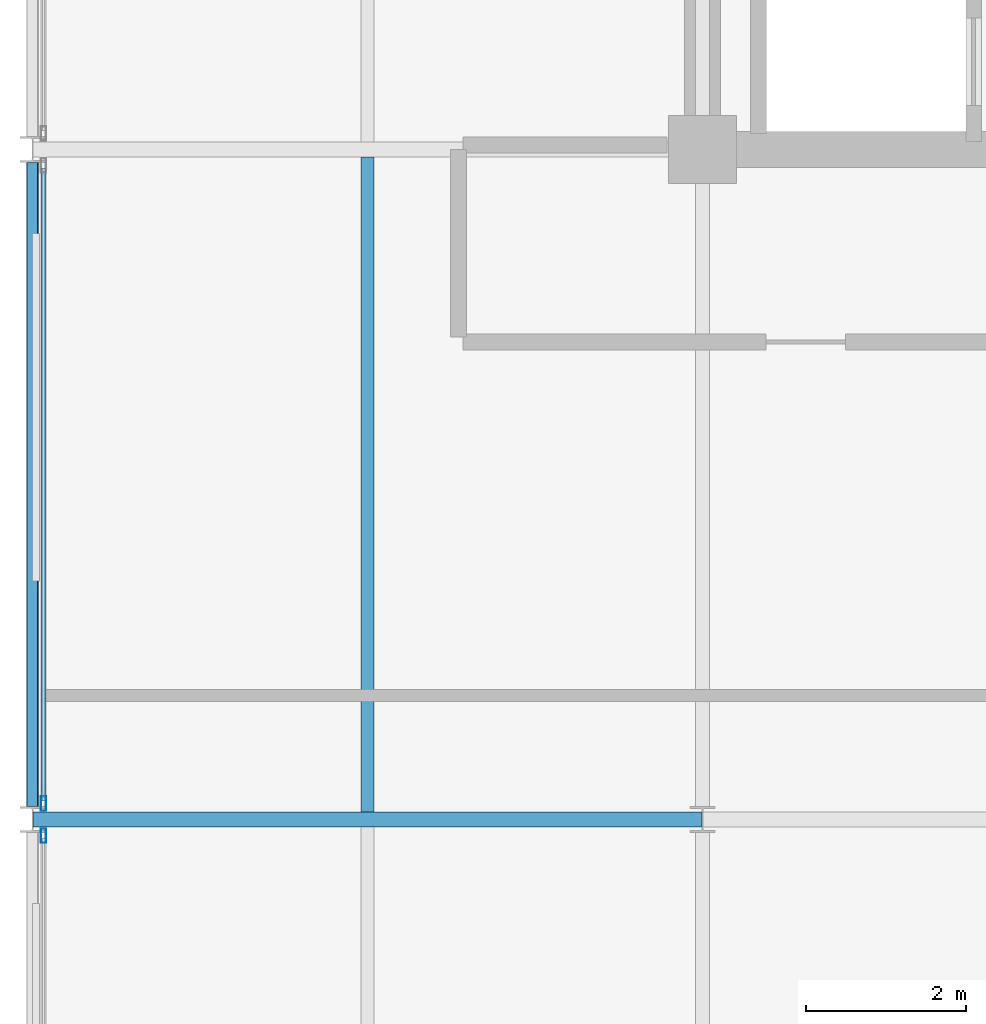
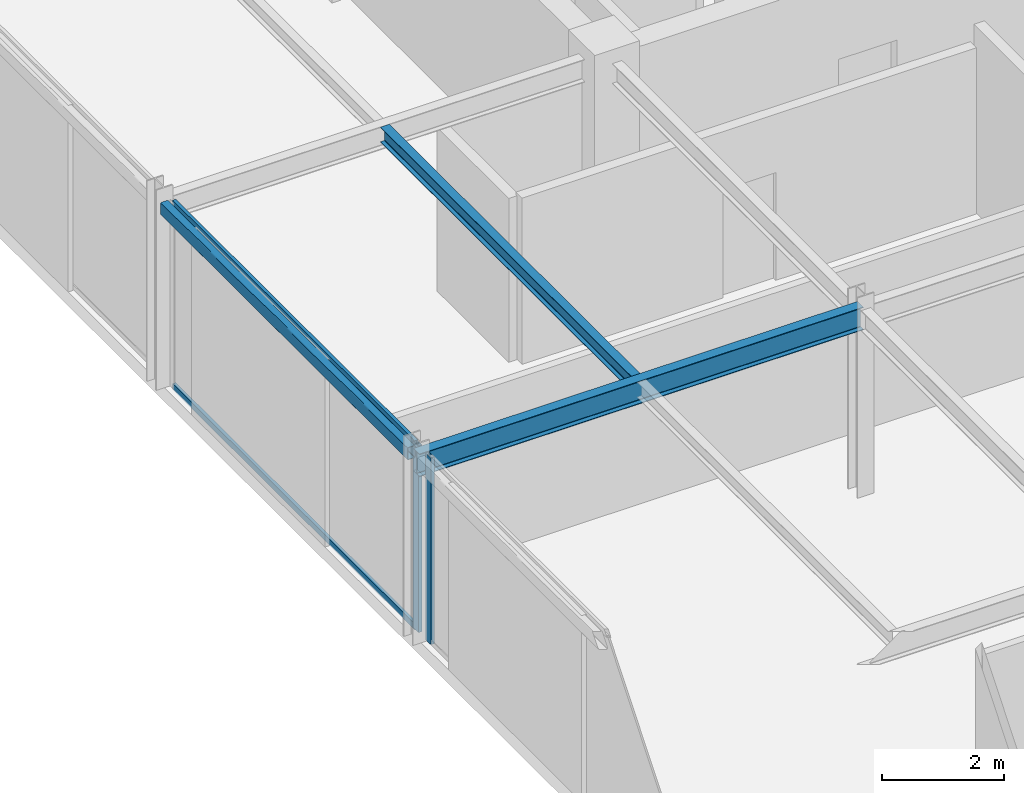
# One storey, part 9 of 26: 4 members, 3 beams, 2 elements without a shape of their own.
"""IFC4 building model written with IfcOpenShell, lengths in metres."""

from ifc_helpers import new_model, si_unit, direction, frame, origin, origin_2d, place, context, subcontext, project, spatial, hollow_rectangle, i_section, extrude, material, layer, layer_set, material_profile, profile_set, type_object, element, aggregate, save


model = new_model("IFC4")

# Units and contexts
model_context = context("Model", 3, precision=1e-05, world=origin(), true_north=direction((0.0, 1.0)))
body_context = subcontext(model_context, "Body", "Model", "MODEL_VIEW")
ifc_project = project(units=[si_unit("LENGTHUNIT", "METRE"), si_unit("AREAUNIT", "SQUARE_METRE"), si_unit("VOLUMEUNIT", "CUBIC_METRE"), si_unit("PLANEANGLEUNIT", "RADIAN"), si_unit("MASSUNIT", "GRAM", prefix="KILO")], contexts=[model_context])

# Site, building, storey
site_placement = place(None, origin())
site = spatial("IfcSite", under=ifc_project, at=site_placement, CompositionType="ELEMENT")
building_placement = place(site_placement, origin())
building = spatial("IfcBuilding", under=site, at=building_placement, Name="Nerrivon Quay Data Exchange", CompositionType="ELEMENT")
storey_placement = place(building_placement, frame((0.0, 0.0, 250.199951171875)))
storey = spatial("IfcBuildingStorey", under=building, at=storey_placement, Name="L59", CompositionType="ELEMENT", Elevation=250.199951171875)

# Beams
ifc_material_1 = material(Name="Steel Grade 350", Category="steel")
ifc_material_profile_1 = material_profile(ifc_material_1, i_section(OverallWidth=0.18994140625, OverallDepth=0.4541015625, WebThickness=0.008544921875, FlangeThickness=0.0126953125, FilletRadius=0.011474609375, at=origin_2d()), Name="460UB67.1")
ifc_profile_set_1 = profile_set([ifc_material_profile_1], Name="Steel Grade 350")
beam_type_1 = type_object("IfcBeamType", Name="BM-G6-460UB67", PredefinedType="BEAM", material=ifc_profile_set_1)
beam_1_placement = place(storey_placement, frame((0.0078125, 16.800048828125, 3.498046875), z_axis=(1.0, 0.0, 0.0), x_axis=(0.0, 1.0, 0.0)))
element("IfcBeam", 1, at=beam_1_placement, inside=storey, type_object=beam_type_1, Name="L59 EW Girder Y=16.8 (0.0..8.4)", PredefinedType="BEAM", context=body_context, shape_type="SweptSolid", body=[
    extrude(i_section(OverallWidth=0.18994140625, OverallDepth=0.4541015625, WebThickness=0.008544921875, FlangeThickness=0.0126953125, FilletRadius=0.011474609375, at=origin_2d()), origin(), (0.0, 0.0, 1.0), 8.38427734375),
])
ifc_material_profile_2 = material_profile(ifc_material_1, i_section(OverallWidth=0.1650390625, OverallDepth=0.303955078125, WebThickness=0.006103515625, FlangeThickness=0.01025390625, FilletRadius=0.011474609375, at=origin_2d()), Name="310UB40.4")
ifc_profile_set_2 = profile_set([ifc_material_profile_2], Name="Steel Grade 350")
beam_type_2 = type_object("IfcBeamType", Name="BM-J6-310UB40", PredefinedType="JOIST", material=ifc_profile_set_2)
beam_2_placement = place(storey_placement, frame((4.199951171875, 16.89501953125, 3.572998046875), z_axis=(0.0, 1.0, 0.0), x_axis=(-1.0, 0.0, 0.0)))
element("IfcBeam", 2, at=beam_2_placement, inside=storey, type_object=beam_type_2, Name="L59 Secondary Joist X=4.2 (16.8..25.2)", PredefinedType="JOIST", context=body_context, shape_type="SweptSolid", body=[
    extrude(i_section(OverallWidth=0.1650390625, OverallDepth=0.303955078125, WebThickness=0.006103515625, FlangeThickness=0.01025390625, FilletRadius=0.011474609375, at=origin_2d()), origin(), (0.0, 0.0, 1.0), 8.2099609375),
])
ifc_material_2 = material(Name="Steel Grade C350L0 (350 MPa)", Category="steel")
ifc_material_profile_3 = material_profile(ifc_material_2, hollow_rectangle(XDim=0.14990234375, YDim=0.25, WallThickness=0.009033203125, InnerFilletRadius=0.013427734375, OuterFilletRadius=0.0224609375, at=origin_2d()), Name="250x150x9.0RHS")
ifc_profile_set_3 = profile_set([ifc_material_profile_3], Name="Steel Grade C350L0 (350 MPa)")
beam_type_3 = type_object("IfcBeamType", Name="BM-SP4-250x150RHS", PredefinedType="SPANDREL", material=ifc_profile_set_3)
beam_3_placement = place(storey_placement, frame((0.0, 16.96337890625, 3.60009765625), z_axis=(0.0, 1.0, 0.0), x_axis=(-1.0, 0.0, 0.0)))
element("IfcBeam", 3, at=beam_3_placement, inside=storey, type_object=beam_type_3, Name="L59 NS Girder X=0.0 (16.8..25.2)", PredefinedType="SPANDREL", context=body_context, shape_type="SweptSolid", body=[
    extrude(hollow_rectangle(XDim=0.14990234375, YDim=0.25, WallThickness=0.009033203125, InnerFilletRadius=0.013427734375, OuterFilletRadius=0.0224609375, at=origin_2d()), origin(), (0.0, 0.0, 1.0), 8.0732421875),
])

# Curtain wall, member
ifc_material_3 = material(Name="Anodised aluminium 6063-T6", Category="aluminium")
ifc_layer = layer(ifc_material_3, 0.195068359375)
ifc_layer_set = layer_set([ifc_layer], Name="Anodised aluminium 6063-T6")
curtain_wall_type = type_object("IfcCurtainWallType", Name="CW-SYS-06", PredefinedType="NOTDEFINED", material=ifc_layer_set)
curtain_wall_1_placement = place(storey_placement, origin())
curtain_wall_1 = element("IfcCurtainWall", 4, at=curtain_wall_1_placement, inside=storey, type_object=curtain_wall_type, Name="L59 Unitised Curtain Wall 12", PredefinedType="NOTDEFINED")
ifc_material_profile_4 = material_profile(ifc_material_3, hollow_rectangle(XDim=0.06494140625, YDim=0.179931640625, WallThickness=0.00341796875, at=origin_2d()), Name="ALU-MULL-180x65")
ifc_profile_set_4 = profile_set([ifc_material_profile_4], Name="Anodised aluminium 6063-T6")
member_type_1 = type_object("IfcMemberType", Name="CWM-180x65", PredefinedType="MULLION", material=ifc_profile_set_4)
member_1_placement = place(storey_placement, frame((0.139892578125, 16.59912109375, 0.0), z_axis=(0.0, 0.0, 1.0), x_axis=(-1.0, 0.0, 0.0)))
member_1 = element("IfcMember", 5, at=member_1_placement, type_object=member_type_1, Name="CW06 mullion 2", PredefinedType="MULLION", context=body_context, shape_type="SweptSolid", body=[
    extrude(hollow_rectangle(XDim=0.06494140625, YDim=0.179931640625, WallThickness=0.00341796875, at=origin_2d()), origin(), (0.0, 0.0, 1.0), 3.72509765625),
])
aggregate(curtain_wall_1, [member_1])

# Curtain wall, members
curtain_wall_2_placement = place(storey_placement, origin())
curtain_wall_2 = element("IfcCurtainWall", 6, at=curtain_wall_2_placement, inside=storey, type_object=curtain_wall_type, Name="L59 Unitised Curtain Wall 13", PredefinedType="NOTDEFINED")
member_2_placement = place(storey_placement, frame((0.139892578125, 17.0009765625, 0.0), z_axis=(0.0, 0.0, 1.0), x_axis=(-1.0, 0.0, 0.0)))
member_2 = element("IfcMember", 7, at=member_2_placement, type_object=member_type_1, Name="CW06 mullion 1", PredefinedType="MULLION", context=body_context, shape_type="SweptSolid", body=[
    extrude(hollow_rectangle(XDim=0.06494140625, YDim=0.179931640625, WallThickness=0.00341796875, at=origin_2d()), origin(), (0.0, 0.0, 1.0), 3.72509765625),
])
ifc_material_profile_5 = material_profile(ifc_material_3, hollow_rectangle(XDim=0.06005859375, YDim=0.1201171875, WallThickness=0.003173828125, at=origin_2d()), Name="ALU-TRAN-120x60")
ifc_profile_set_5 = profile_set([ifc_material_profile_5], Name="Anodised aluminium 6063-T6")
member_type_2 = type_object("IfcMemberType", Name="CWT-120x60", PredefinedType="USERDEFINED", material=ifc_profile_set_5)
member_3_placement = place(storey_placement, frame((0.139892578125, 17.03857421875, 0.032470703125), z_axis=(0.0, 1.0, 0.0), x_axis=(-1.0, 0.0, 0.0)))
member_3 = element("IfcMember", 8, at=member_3_placement, type_object=member_type_2, Name="CW06 transom 1.1", ObjectType="TRANSOM", PredefinedType="USERDEFINED", context=body_context, shape_type="SweptSolid", body=[
    extrude(hollow_rectangle(XDim=0.06005859375, YDim=0.1201171875, WallThickness=0.003173828125, at=origin_2d()), origin(), (0.0, 0.0, 1.0), 7.9228515625),
])
member_4_placement = place(storey_placement, frame((0.139892578125, 17.03857421875, 3.692626953125), z_axis=(0.0, 1.0, 0.0), x_axis=(-1.0, 0.0, 0.0)))
member_4 = element("IfcMember", 9, at=member_4_placement, type_object=member_type_2, Name="CW06 transom 1.2", ObjectType="TRANSOM", PredefinedType="USERDEFINED", context=body_context, shape_type="SweptSolid", body=[
    extrude(hollow_rectangle(XDim=0.06005859375, YDim=0.1201171875, WallThickness=0.003173828125, at=origin_2d()), origin(), (0.0, 0.0, 1.0), 7.9228515625),
])
aggregate(curtain_wall_2, [member_2, member_3, member_4])

save(model, "model.ifc")
